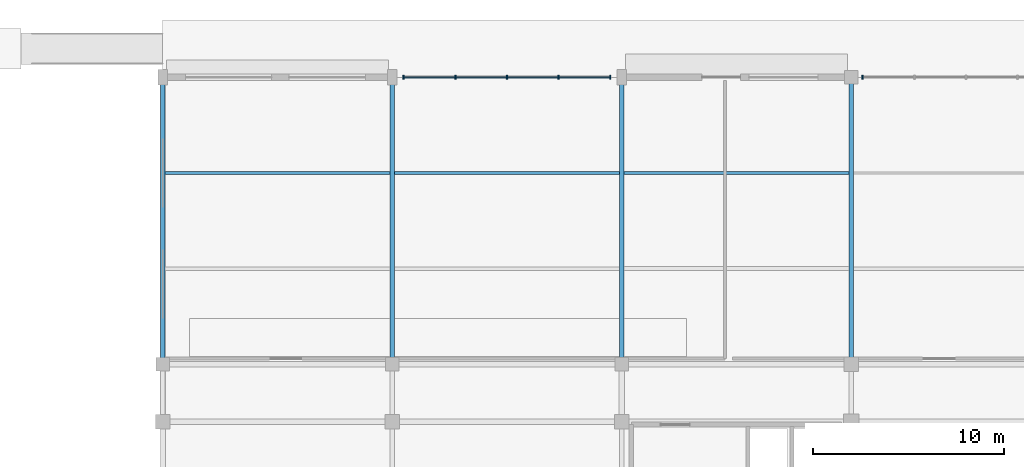
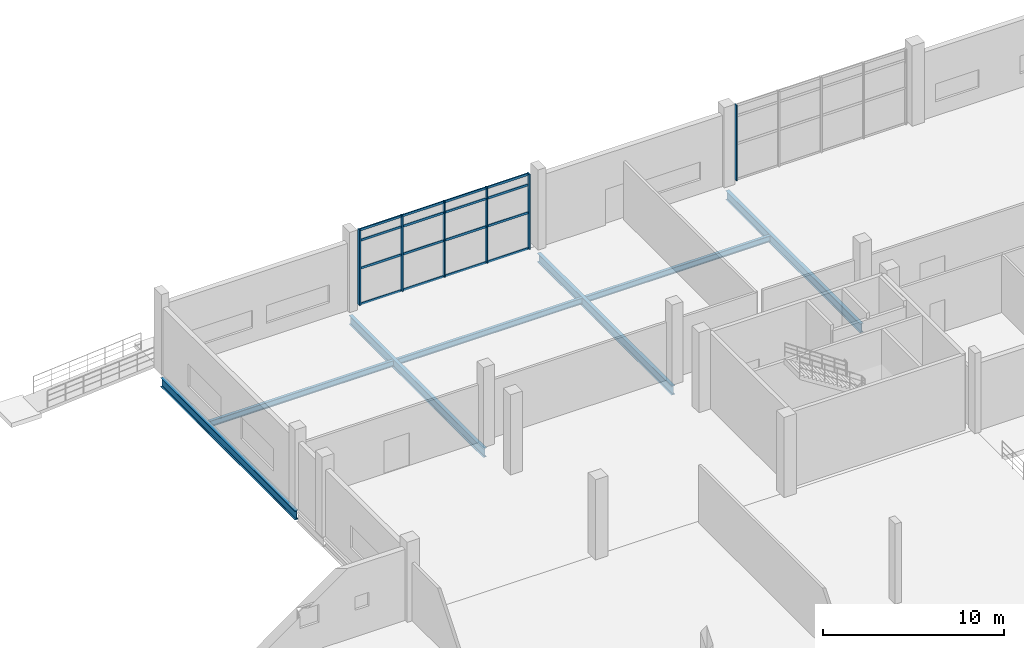
# One storey, part 42 of 85: 22 members, 7 beams, 2 elements without a shape of their own.
"""IFC4 building model written with IfcOpenShell, lengths in metres."""

from ifc_helpers import new_model, si_unit, direction, frame, origin, origin_2d, place, context, subcontext, project, spatial, rectangle, i_section, extrude, material, material_profile, profile_set, type_object, element, aggregate, save


model = new_model("IFC4")

# Units and contexts
model_context = context("Model", 3, precision=1e-05, world=origin(), true_north=direction((0.0, 1.0)))
body_context = subcontext(model_context, "Body", "Model", "MODEL_VIEW")
ifc_project = project(units=[si_unit("LENGTHUNIT", "METRE"), si_unit("AREAUNIT", "SQUARE_METRE"), si_unit("VOLUMEUNIT", "CUBIC_METRE"), si_unit("PLANEANGLEUNIT", "RADIAN"), si_unit("MASSUNIT", "GRAM", prefix="KILO"), si_unit("THERMODYNAMICTEMPERATUREUNIT", "KELVIN"), si_unit("POWERUNIT", "WATT")], contexts=[model_context])

# Site, building, storey
site_placement = place(None, origin())
site = spatial("IfcSite", under=ifc_project, at=site_placement, CompositionType="ELEMENT")
building_placement = place(site_placement, origin())
building = spatial("IfcBuilding", under=site, at=building_placement, Name="Solmara Park Aquatics Centre", CompositionType="ELEMENT")
storey_placement = place(building_placement, origin())
storey = spatial("IfcBuildingStorey", under=building, at=storey_placement, Name="L00", CompositionType="ELEMENT", Elevation=0.0)

# Curtain wall, members
ifc_material_1 = material(Name="Anodised Aluminium Curtain Wall Framing", Category="aluminium")
curtain_wall_type = type_object("IfcCurtainWallType", Name="ARC-CW-SYS04", PredefinedType="USERDEFINED", material=ifc_material_1)
curtain_wall_1_placement = place(storey_placement, origin())
curtain_wall_1 = element("IfcCurtainWall", 1, at=curtain_wall_1_placement, inside=storey, type_object=curtain_wall_type, Name="Curtain Wall CW-110", ObjectType="CURTAIN WALL", PredefinedType="USERDEFINED")
ifc_material_2 = material(Name="Anodised Aluminium Alloy 6063-T6", Category="aluminium")
ifc_material_profile_1 = material_profile(ifc_material_2, rectangle(XDim=0.074951171875, YDim=0.219970703125, at=origin_2d()), Name="ALU MULLION 75x220")
ifc_profile_set_1 = profile_set([ifc_material_profile_1], Name="Anodised Aluminium Alloy 6063-T6")
member_type_1 = type_object("IfcMemberType", Name="ARC-CWM-75x220", PredefinedType="MULLION", material=ifc_profile_set_1)
member_1_placement = place(storey_placement, frame((37.199951171875, 136.0, 0.0), z_axis=(0.0, 0.0, 1.0), x_axis=(1.0, 0.0, 0.0)))
member_1 = element("IfcMember", 2, at=member_1_placement, type_object=member_type_1, Name="CW-110 mullion 1", PredefinedType="MULLION", context=body_context, shape_type="SweptSolid", body=[
    extrude(rectangle(XDim=0.074951171875, YDim=0.219970703125, at=origin_2d()), origin(), (0.0, 0.0, 1.0), 5.080078125),
])
member_2_placement = place(storey_placement, frame((39.89990234375, 136.0, 0.0), z_axis=(0.0, 0.0, 1.0), x_axis=(1.0, 0.0, 0.0)))
member_2 = element("IfcMember", 3, at=member_2_placement, type_object=member_type_1, Name="CW-110 mullion 2", PredefinedType="MULLION", context=body_context, shape_type="SweptSolid", body=[
    extrude(rectangle(XDim=0.074951171875, YDim=0.219970703125, at=origin_2d()), origin(), (0.0, 0.0, 1.0), 5.080078125),
])
member_3_placement = place(storey_placement, frame((42.60009765625, 136.0, 0.0), z_axis=(0.0, 0.0, 1.0), x_axis=(1.0, 0.0, 0.0)))
member_3 = element("IfcMember", 4, at=member_3_placement, type_object=member_type_1, Name="CW-110 mullion 3", PredefinedType="MULLION", context=body_context, shape_type="SweptSolid", body=[
    extrude(rectangle(XDim=0.074951171875, YDim=0.219970703125, at=origin_2d()), origin(), (0.0, 0.0, 1.0), 5.080078125),
])
member_4_placement = place(storey_placement, frame((45.300048828125, 136.0, 0.0), z_axis=(0.0, 0.0, 1.0), x_axis=(1.0, 0.0, 0.0)))
member_4 = element("IfcMember", 5, at=member_4_placement, type_object=member_type_1, Name="CW-110 mullion 4", PredefinedType="MULLION", context=body_context, shape_type="SweptSolid", body=[
    extrude(rectangle(XDim=0.074951171875, YDim=0.219970703125, at=origin_2d()), origin(), (0.0, 0.0, 1.0), 5.080078125),
])
member_5_placement = place(storey_placement, frame((48.0, 136.0, 0.0), z_axis=(0.0, 0.0, 1.0), x_axis=(1.0, 0.0, 0.0)))
member_5 = element("IfcMember", 6, at=member_5_placement, type_object=member_type_1, Name="CW-110 mullion 5", PredefinedType="MULLION", context=body_context, shape_type="SweptSolid", body=[
    extrude(rectangle(XDim=0.074951171875, YDim=0.219970703125, at=origin_2d()), origin(), (0.0, 0.0, 1.0), 5.080078125),
])

# Curtain wall, member
curtain_wall_2_placement = place(storey_placement, origin())
curtain_wall_2 = element("IfcCurtainWall", 7, at=curtain_wall_2_placement, inside=storey, type_object=curtain_wall_type, Name="Curtain Wall CW-111", ObjectType="CURTAIN WALL", PredefinedType="USERDEFINED")
member_6_placement = place(storey_placement, frame((61.199951171875, 136.0, 0.0), z_axis=(0.0, 0.0, 1.0), x_axis=(1.0, 0.0, 0.0)))
member_6 = element("IfcMember", 8, at=member_6_placement, type_object=member_type_1, Name="CW-111 mullion 1", PredefinedType="MULLION", context=body_context, shape_type="SweptSolid", body=[
    extrude(rectangle(XDim=0.074951171875, YDim=0.219970703125, at=origin_2d()), origin(), (0.0, 0.0, 1.0), 5.080078125),
])
aggregate(curtain_wall_2, [member_6])

# Member
ifc_material_profile_2 = material_profile(ifc_material_2, rectangle(XDim=0.074951171875, YDim=0.14990234375, at=origin_2d()), Name="ALU TRANSOM 75x150")
ifc_profile_set_2 = profile_set([ifc_material_profile_2], Name="Anodised Aluminium Alloy 6063-T6")
member_type_2 = type_object("IfcMemberType", Name="ARC-CWT-75x150", PredefinedType="USERDEFINED", material=ifc_profile_set_2)
member_7_placement = place(storey_placement, frame((37.219970703125, 136.0, 0.0400390625), z_axis=(1.0, 0.0, 0.0), x_axis=(0.0, 1.0, 0.0)))
member_7 = element("IfcMember", 9, at=member_7_placement, type_object=member_type_2, Name="CW-110 transom 1", ObjectType="TRANSOM", PredefinedType="USERDEFINED", context=body_context, shape_type="SweptSolid", body=[
    extrude(rectangle(XDim=0.074951171875, YDim=0.14990234375, at=origin_2d()), origin(), (0.0, 0.0, 1.0), 2.6201171875),
])

member_8_placement = place(storey_placement, frame((37.219970703125, 136.0, 2.449951171875), z_axis=(1.0, 0.0, 0.0), x_axis=(0.0, 1.0, 0.0)))
member_8 = element("IfcMember", 10, at=member_8_placement, type_object=member_type_2, Name="CW-110 transom 2", ObjectType="TRANSOM", PredefinedType="USERDEFINED", context=body_context, shape_type="SweptSolid", body=[
    extrude(rectangle(XDim=0.074951171875, YDim=0.14990234375, at=origin_2d()), origin(), (0.0, 0.0, 1.0), 2.6201171875),
])

member_9_placement = place(storey_placement, frame((37.219970703125, 136.0, 4.330078125), z_axis=(1.0, 0.0, 0.0), x_axis=(0.0, 1.0, 0.0)))
member_9 = element("IfcMember", 11, at=member_9_placement, type_object=member_type_2, Name="CW-110 transom 3", ObjectType="TRANSOM", PredefinedType="USERDEFINED", context=body_context, shape_type="SweptSolid", body=[
    extrude(rectangle(XDim=0.074951171875, YDim=0.14990234375, at=origin_2d()), origin(), (0.0, 0.0, 1.0), 2.6201171875),
])

member_10_placement = place(storey_placement, frame((37.219970703125, 136.0, 5.0400390625), z_axis=(1.0, 0.0, 0.0), x_axis=(0.0, 1.0, 0.0)))
member_10 = element("IfcMember", 12, at=member_10_placement, type_object=member_type_2, Name="CW-110 transom 4", ObjectType="TRANSOM", PredefinedType="USERDEFINED", context=body_context, shape_type="SweptSolid", body=[
    extrude(rectangle(XDim=0.074951171875, YDim=0.14990234375, at=origin_2d()), origin(), (0.0, 0.0, 1.0), 2.6201171875),
])

member_11_placement = place(storey_placement, frame((39.919921875, 136.0, 0.0400390625), z_axis=(1.0, 0.0, 0.0), x_axis=(0.0, 1.0, 0.0)))
member_11 = element("IfcMember", 13, at=member_11_placement, type_object=member_type_2, Name="CW-110 transom 5", ObjectType="TRANSOM", PredefinedType="USERDEFINED", context=body_context, shape_type="SweptSolid", body=[
    extrude(rectangle(XDim=0.074951171875, YDim=0.14990234375, at=origin_2d()), origin(), (0.0, 0.0, 1.0), 2.6201171875),
])

member_12_placement = place(storey_placement, frame((39.919921875, 136.0, 2.449951171875), z_axis=(1.0, 0.0, 0.0), x_axis=(0.0, 1.0, 0.0)))
member_12 = element("IfcMember", 14, at=member_12_placement, type_object=member_type_2, Name="CW-110 transom 6", ObjectType="TRANSOM", PredefinedType="USERDEFINED", context=body_context, shape_type="SweptSolid", body=[
    extrude(rectangle(XDim=0.074951171875, YDim=0.14990234375, at=origin_2d()), origin(), (0.0, 0.0, 1.0), 2.6201171875),
])

member_13_placement = place(storey_placement, frame((39.919921875, 136.0, 4.330078125), z_axis=(1.0, 0.0, 0.0), x_axis=(0.0, 1.0, 0.0)))
member_13 = element("IfcMember", 15, at=member_13_placement, type_object=member_type_2, Name="CW-110 transom 7", ObjectType="TRANSOM", PredefinedType="USERDEFINED", context=body_context, shape_type="SweptSolid", body=[
    extrude(rectangle(XDim=0.074951171875, YDim=0.14990234375, at=origin_2d()), origin(), (0.0, 0.0, 1.0), 2.6201171875),
])

member_14_placement = place(storey_placement, frame((39.919921875, 136.0, 5.0400390625), z_axis=(1.0, 0.0, 0.0), x_axis=(0.0, 1.0, 0.0)))
member_14 = element("IfcMember", 16, at=member_14_placement, type_object=member_type_2, Name="CW-110 transom 8", ObjectType="TRANSOM", PredefinedType="USERDEFINED", context=body_context, shape_type="SweptSolid", body=[
    extrude(rectangle(XDim=0.074951171875, YDim=0.14990234375, at=origin_2d()), origin(), (0.0, 0.0, 1.0), 2.6201171875),
])

member_15_placement = place(storey_placement, frame((42.6201171875, 136.0, 0.0400390625), z_axis=(1.0, 0.0, 0.0), x_axis=(0.0, 1.0, 0.0)))
member_15 = element("IfcMember", 17, at=member_15_placement, type_object=member_type_2, Name="CW-110 transom 9", ObjectType="TRANSOM", PredefinedType="USERDEFINED", context=body_context, shape_type="SweptSolid", body=[
    extrude(rectangle(XDim=0.074951171875, YDim=0.14990234375, at=origin_2d()), origin(), (0.0, 0.0, 1.0), 2.619873046875),
])

member_16_placement = place(storey_placement, frame((42.6201171875, 136.0, 2.449951171875), z_axis=(1.0, 0.0, 0.0), x_axis=(0.0, 1.0, 0.0)))
member_16 = element("IfcMember", 18, at=member_16_placement, type_object=member_type_2, Name="CW-110 transom 10", ObjectType="TRANSOM", PredefinedType="USERDEFINED", context=body_context, shape_type="SweptSolid", body=[
    extrude(rectangle(XDim=0.074951171875, YDim=0.14990234375, at=origin_2d()), origin(), (0.0, 0.0, 1.0), 2.619873046875),
])

member_17_placement = place(storey_placement, frame((42.6201171875, 136.0, 4.330078125), z_axis=(1.0, 0.0, 0.0), x_axis=(0.0, 1.0, 0.0)))
member_17 = element("IfcMember", 19, at=member_17_placement, type_object=member_type_2, Name="CW-110 transom 11", ObjectType="TRANSOM", PredefinedType="USERDEFINED", context=body_context, shape_type="SweptSolid", body=[
    extrude(rectangle(XDim=0.074951171875, YDim=0.14990234375, at=origin_2d()), origin(), (0.0, 0.0, 1.0), 2.619873046875),
])

member_18_placement = place(storey_placement, frame((42.6201171875, 136.0, 5.0400390625), z_axis=(1.0, 0.0, 0.0), x_axis=(0.0, 1.0, 0.0)))
member_18 = element("IfcMember", 20, at=member_18_placement, type_object=member_type_2, Name="CW-110 transom 12", ObjectType="TRANSOM", PredefinedType="USERDEFINED", context=body_context, shape_type="SweptSolid", body=[
    extrude(rectangle(XDim=0.074951171875, YDim=0.14990234375, at=origin_2d()), origin(), (0.0, 0.0, 1.0), 2.619873046875),
])

member_19_placement = place(storey_placement, frame((45.320068359375, 136.0, 0.0400390625), z_axis=(1.0, 0.0, 0.0), x_axis=(0.0, 1.0, 0.0)))
member_19 = element("IfcMember", 21, at=member_19_placement, type_object=member_type_2, Name="CW-110 transom 13", ObjectType="TRANSOM", PredefinedType="USERDEFINED", context=body_context, shape_type="SweptSolid", body=[
    extrude(rectangle(XDim=0.074951171875, YDim=0.14990234375, at=origin_2d()), origin(), (0.0, 0.0, 1.0), 2.619873046875),
])

member_20_placement = place(storey_placement, frame((45.320068359375, 136.0, 2.449951171875), z_axis=(1.0, 0.0, 0.0), x_axis=(0.0, 1.0, 0.0)))
member_20 = element("IfcMember", 22, at=member_20_placement, type_object=member_type_2, Name="CW-110 transom 14", ObjectType="TRANSOM", PredefinedType="USERDEFINED", context=body_context, shape_type="SweptSolid", body=[
    extrude(rectangle(XDim=0.074951171875, YDim=0.14990234375, at=origin_2d()), origin(), (0.0, 0.0, 1.0), 2.619873046875),
])

member_21_placement = place(storey_placement, frame((45.320068359375, 136.0, 4.330078125), z_axis=(1.0, 0.0, 0.0), x_axis=(0.0, 1.0, 0.0)))
member_21 = element("IfcMember", 23, at=member_21_placement, type_object=member_type_2, Name="CW-110 transom 15", ObjectType="TRANSOM", PredefinedType="USERDEFINED", context=body_context, shape_type="SweptSolid", body=[
    extrude(rectangle(XDim=0.074951171875, YDim=0.14990234375, at=origin_2d()), origin(), (0.0, 0.0, 1.0), 2.619873046875),
])

member_22_placement = place(storey_placement, frame((45.320068359375, 136.0, 5.0400390625), z_axis=(1.0, 0.0, 0.0), x_axis=(0.0, 1.0, 0.0)))
member_22 = element("IfcMember", 24, at=member_22_placement, type_object=member_type_2, Name="CW-110 transom 16", ObjectType="TRANSOM", PredefinedType="USERDEFINED", context=body_context, shape_type="SweptSolid", body=[
    extrude(rectangle(XDim=0.074951171875, YDim=0.14990234375, at=origin_2d()), origin(), (0.0, 0.0, 1.0), 2.619873046875),
])

aggregate(curtain_wall_1, [member_1, member_2, member_3, member_4, member_5, member_7, member_8, member_9, member_10, member_11, member_12, member_13, member_14, member_15, member_16, member_17, member_18, member_19, member_20, member_21, member_22])

# Beams
ifc_material_3 = material(Name="Structural Steel S355", Category="steel")
ifc_material_profile_3 = material_profile(ifc_material_3, i_section(OverallWidth=0.219970703125, OverallDepth=0.60009765625, WebThickness=0.011962890625, FlangeThickness=0.01904296875, FilletRadius=0.02392578125, at=origin_2d()), Name="IPE 600")
ifc_profile_set_3 = profile_set([ifc_material_profile_3], Name="Structural Steel S355")
beam_type_1 = type_object("IfcBeamType", Name="STR-BM-IPE600", PredefinedType="BEAM", material=ifc_profile_set_3)
for number, where, z_axis, x_axis, name in (
    (25, (24.60009765625, 121.080078125, -0.719970703125), (0.0, 1.0, 0.0), (-1.0, 0.0, 0.0), "Girder BM-L00-0142"),
    (26, (36.60009765625, 121.080078125, -0.719970703125), (0.0, 1.0, 0.0), (-1.0, 0.0, 0.0), "Girder BM-L00-0145"),
    (27, (48.60009765625, 121.080078125, -0.719970703125), (0.0, 1.0, 0.0), (-1.0, 0.0, 0.0), "Girder BM-L00-0148"),
    (28, (60.60009765625, 121.080078125, -0.719970703125), (0.0, 1.0, 0.0), (-1.0, 0.0, 0.0), "Girder BM-L00-0151"),
):
    element("IfcBeam", number, at=place(storey_placement, frame(where, z_axis=z_axis, x_axis=x_axis)), inside=storey, type_object=beam_type_1, Name=name, PredefinedType="BEAM", context=body_context, shape_type="SweptSolid", body=[
        extrude(i_section(OverallWidth=0.219970703125, OverallDepth=0.60009765625, WebThickness=0.011962890625, FlangeThickness=0.01904296875, FilletRadius=0.02392578125, at=origin_2d()), origin(), (0.0, 0.0, 1.0), 14.83984375),
    ])
ifc_material_profile_4 = material_profile(ifc_material_3, i_section(OverallWidth=0.179931640625, OverallDepth=0.39990234375, WebThickness=0.008544921875, FlangeThickness=0.013427734375, FilletRadius=0.02099609375, at=origin_2d()), Name="IPE 400")
ifc_profile_set_4 = profile_set([ifc_material_profile_4], Name="Structural Steel S355")
beam_type_2 = type_object("IfcBeamType", Name="STR-JST-IPE400", PredefinedType="JOIST", material=ifc_profile_set_4)
for number, where, z_axis, x_axis, name in (
    (29, (24.7099609375, 131.0, -0.6201171875), (1.0, 0.0, 0.0), (0.0, 1.0, 0.0), "Floor Joist JST-L00-0078"),
    (30, (36.7099609375, 131.0, -0.6201171875), (1.0, 0.0, 0.0), (0.0, 1.0, 0.0), "Floor Joist JST-L00-0082"),
    (31, (48.7099609375, 131.0, -0.6201171875), (1.0, 0.0, 0.0), (0.0, 1.0, 0.0), "Floor Joist JST-L00-0085"),
):
    element("IfcBeam", number, at=place(storey_placement, frame(where, z_axis=z_axis, x_axis=x_axis)), inside=storey, type_object=beam_type_2, Name=name, PredefinedType="JOIST", context=body_context, shape_type="SweptSolid", body=[
        extrude(i_section(OverallWidth=0.179931640625, OverallDepth=0.39990234375, WebThickness=0.008544921875, FlangeThickness=0.013427734375, FilletRadius=0.02099609375, at=origin_2d()), origin(), (0.0, 0.0, 1.0), 11.780029296875),
    ])

save(model, "model.ifc")
